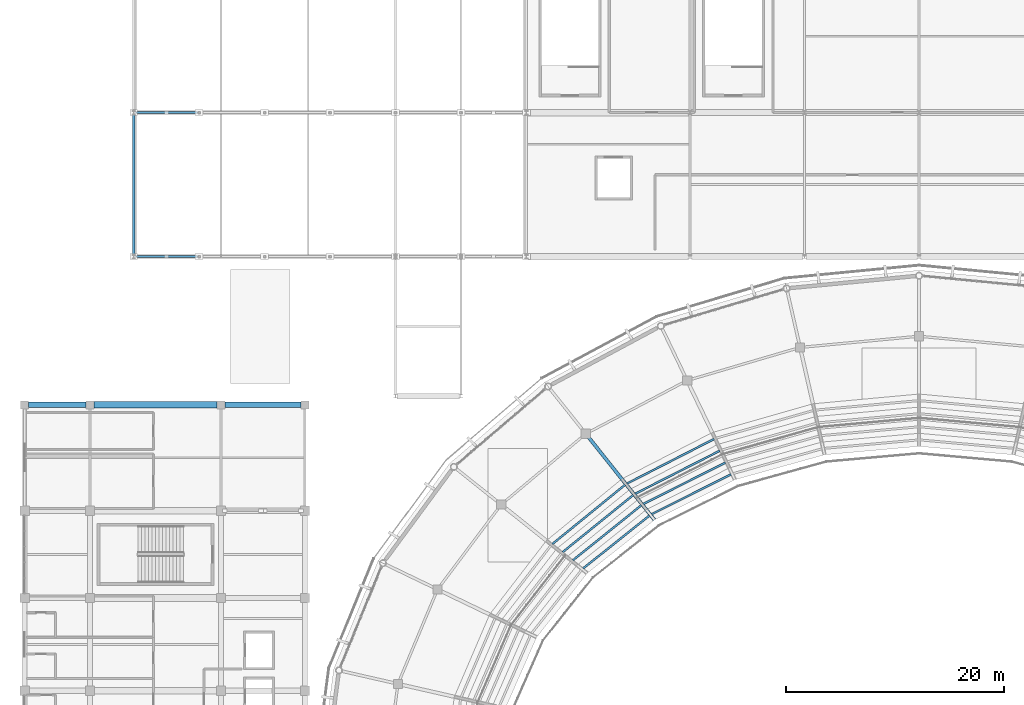
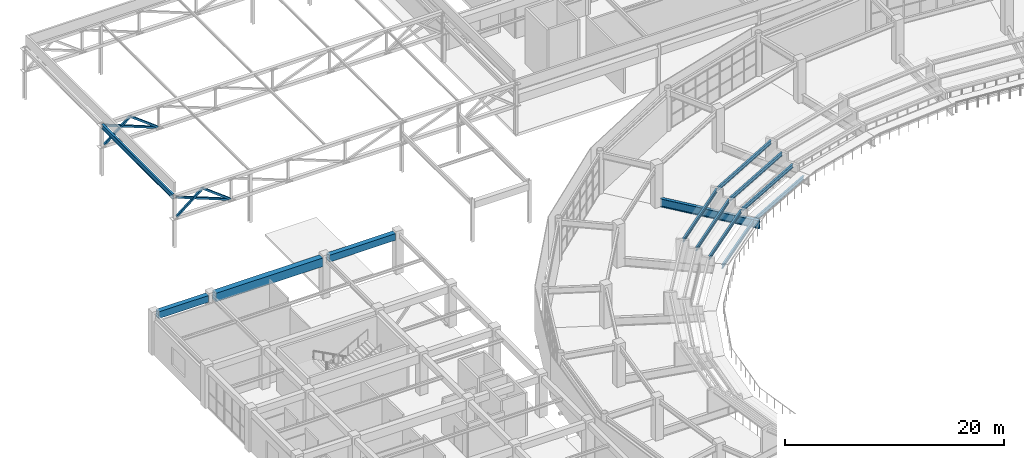
# One storey, part 46 of 122: 13 beams, 6 members.
"""IFC4 building model written with IfcOpenShell, lengths in metres."""

from ifc_helpers import new_model, si_unit, direction, frame, origin, origin_2d, place, context, subcontext, project, spatial, rectangle, hollow_rectangle, i_section, extrude, material, material_profile, profile_set, type_object, element, save


model = new_model("IFC4")

# Units and contexts
model_context = context("Model", 3, precision=1e-05, world=origin(), true_north=direction((0.0, 1.0)))
body_context = subcontext(model_context, "Body", "Model", "MODEL_VIEW")
ifc_project = project(units=[si_unit("LENGTHUNIT", "METRE"), si_unit("AREAUNIT", "SQUARE_METRE"), si_unit("VOLUMEUNIT", "CUBIC_METRE"), si_unit("PLANEANGLEUNIT", "RADIAN"), si_unit("MASSUNIT", "GRAM", prefix="KILO")], contexts=[model_context])

# Site, building, storey
site_placement = place(None, origin())
site = spatial("IfcSite", under=ifc_project, at=site_placement, CompositionType="ELEMENT")
building_placement = place(site_placement, origin())
building = spatial("IfcBuilding", under=site, at=building_placement, Name="Cuetzalor Civic Arena", CompositionType="ELEMENT")
storey_placement = place(building_placement, frame((0.0, 0.0, 16.199951171875)))
storey = spatial("IfcBuildingStorey", under=building, at=storey_placement, Name="L03", CompositionType="ELEMENT", Elevation=16.199951171875)

# Beams
ifc_material_1 = material(Name="Concrete C40/50", Category="concrete")
ifc_material_profile_1 = material_profile(ifc_material_1, rectangle(XDim=0.5, YDim=0.75, at=origin_2d()), Name="RC 500x750")
ifc_profile_set_1 = profile_set([ifc_material_profile_1], Name="Concrete C40/50")
beam_type_1 = type_object("IfcBeamType", Name="ConcreteFrameBeam_500x750", PredefinedType="BEAM", material=ifc_profile_set_1)
beam_1_placement = place(storey_placement, frame((-81.635009765625, 34.699951171875, 4.14501953125), z_axis=(1.0, 0.0, 0.0), x_axis=(0.0, 1.0, 0.0)))
element("IfcBeam", 1, at=beam_1_placement, inside=storey, type_object=beam_type_1, Name="Frame Girder V4W-L03-X0913", PredefinedType="BEAM", context=body_context, shape_type="SweptSolid", body=[
    extrude(rectangle(XDim=0.5, YDim=0.75, at=origin_2d()), origin(), (0.0, 0.0, 1.0), 5.27001953125),
])
beam_2_placement = place(storey_placement, frame((-63.635009765625, 34.699951171875, 4.14501953125), z_axis=(1.0, 0.0, 0.0), x_axis=(0.0, 1.0, 0.0)))
element("IfcBeam", 2, at=beam_2_placement, inside=storey, type_object=beam_type_1, Name="Frame Girder V4W-L03-X0915", PredefinedType="BEAM", context=body_context, shape_type="SweptSolid", body=[
    extrude(rectangle(XDim=0.5, YDim=0.75, at=origin_2d()), origin(), (0.0, 0.0, 1.0), 6.969970703125),
])
ifc_material_2 = material(Name="Concrete C40/50", Category="concrete")
ifc_material_profile_2 = material_profile(ifc_material_2, rectangle(XDim=0.60009765625, YDim=0.949951171875, at=origin_2d()), Name="RC 600x950")
ifc_profile_set_2 = profile_set([ifc_material_profile_2], Name="Concrete C40/50")
beam_type_2 = type_object("IfcBeamType", Name="ConcreteFrameBeam_600x950", PredefinedType="BEAM", material=ifc_profile_set_2)
beam_3_placement = place(storey_placement, frame((-75.635009765625, 34.699951171875, 4.045166015625), z_axis=(1.0, 0.0, 0.0), x_axis=(0.0, 1.0, 0.0)))
element("IfcBeam", 3, at=beam_3_placement, inside=storey, type_object=beam_type_2, Name="Frame Girder V4W-L03-X0914", PredefinedType="BEAM", context=body_context, shape_type="SweptSolid", body=[
    extrude(rectangle(XDim=0.60009765625, YDim=0.949951171875, at=origin_2d()), origin(), (0.0, 0.0, 1.0), 11.27001953125),
])

# Members
ifc_material_3 = material(Name="Steel S355", Category="steel")
ifc_material_profile_3 = material_profile(ifc_material_3, hollow_rectangle(XDim=0.199951171875, YDim=0.199951171875, WallThickness=0.010009765625, at=origin_2d()), Name="RHS 200x200x10")
ifc_profile_set_3 = profile_set([ifc_material_profile_3], Name="Steel S355")
member_type = type_object("IfcMemberType", Name="PrattTrussWeb_RHS200", PredefinedType="STRUT", material=ifc_profile_set_3)
member_1_placement = place(storey_placement, frame((-71.800048828125, 48.300048828125, 5.5), z_axis=(0.930756425373, 0.0, -0.365639818164), x_axis=(0.0, 1.0, 0.0)))
element("IfcMember", 4, at=member_1_placement, inside=storey, type_object=member_type, Name="Practice Court Pratt Diagonal T1-1", PredefinedType="STRUT", context=body_context, shape_type="SweptSolid", body=[
    extrude(hollow_rectangle(XDim=0.199951171875, YDim=0.199951171875, WallThickness=0.010009765625, at=origin_2d()), origin(), (0.0, 0.0, 1.0), 6.0166015625),
])
member_2_placement = place(storey_placement, frame((-71.75, 48.300048828125, 3.300048828125), z_axis=(0.780875572801, 0.0, 0.624686593263), x_axis=(0.0, 1.0, 0.0)))
element("IfcMember", 5, at=member_2_placement, inside=storey, type_object=member_type, Name="Practice Court Truss End Raking Strut T1-1", PredefinedType="STRUT", context=body_context, shape_type="SweptSolid", body=[
    extrude(hollow_rectangle(XDim=0.199951171875, YDim=0.199951171875, WallThickness=0.010009765625, at=origin_2d()), origin(), (0.0, 0.0, 1.0), 3.521728515625),
])
member_3_placement = place(storey_placement, frame((-69.0, 48.300048828125, 5.5), z_axis=(0.796687929917, 0.0, -0.604390885375), x_axis=(0.0, 1.0, 0.0)))
element("IfcMember", 6, at=member_3_placement, inside=storey, type_object=member_type, Name="Practice Court Truss End Raking Strut T1-2", PredefinedType="STRUT", context=body_context, shape_type="SweptSolid", body=[
    extrude(hollow_rectangle(XDim=0.199951171875, YDim=0.199951171875, WallThickness=0.010009765625, at=origin_2d()), origin(), (0.0, 0.0, 1.0), 3.639892578125),
])
member_4_placement = place(storey_placement, frame((-71.800048828125, 61.5, 5.5), z_axis=(0.930756425373, 0.0, -0.365639818164), x_axis=(0.0, 1.0, 0.0)))
element("IfcMember", 7, at=member_4_placement, inside=storey, type_object=member_type, Name="Practice Court Pratt Diagonal T2-1", PredefinedType="STRUT", context=body_context, shape_type="SweptSolid", body=[
    extrude(hollow_rectangle(XDim=0.199951171875, YDim=0.199951171875, WallThickness=0.010009765625, at=origin_2d()), origin(), (0.0, 0.0, 1.0), 6.0166015625),
])
member_5_placement = place(storey_placement, frame((-71.75, 61.5, 3.300048828125), z_axis=(0.780875572801, 0.0, 0.624686593263), x_axis=(0.0, 1.0, 0.0)))
element("IfcMember", 8, at=member_5_placement, inside=storey, type_object=member_type, Name="Practice Court Truss End Raking Strut T2-1", PredefinedType="STRUT", context=body_context, shape_type="SweptSolid", body=[
    extrude(hollow_rectangle(XDim=0.199951171875, YDim=0.199951171875, WallThickness=0.010009765625, at=origin_2d()), origin(), (0.0, 0.0, 1.0), 3.521728515625),
])
member_6_placement = place(storey_placement, frame((-69.0, 61.5, 5.5), z_axis=(0.796687929917, 0.0, -0.604390885375), x_axis=(0.0, 1.0, 0.0)))
element("IfcMember", 9, at=member_6_placement, inside=storey, type_object=member_type, Name="Practice Court Truss End Raking Strut T2-2", PredefinedType="STRUT", context=body_context, shape_type="SweptSolid", body=[
    extrude(hollow_rectangle(XDim=0.199951171875, YDim=0.199951171875, WallThickness=0.010009765625, at=origin_2d()), origin(), (0.0, 0.0, 1.0), 3.639892578125),
])

# Beams
ifc_material_4 = material(Name="Steel S355", Category="steel")
ifc_material_profile_4 = material_profile(ifc_material_4, i_section(OverallWidth=0.208984375, OverallDepth=0.532958984375, WebThickness=0.01025390625, FlangeThickness=0.015625, at=origin_2d()), Name="W530x92")
ifc_profile_set_4 = profile_set([ifc_material_profile_4], Name="Steel S355")
beam_type_3 = type_object("IfcBeamType", Name="SteelCollarGirder_W530", PredefinedType="BEAM", material=ifc_profile_set_4)
beam_4_placement = place(storey_placement, frame((-72.0, 48.444091796875, 5.533447265625), z_axis=(0.0, 1.0, 0.0), x_axis=(-1.0, 0.0, 0.0)))
element("IfcBeam", 10, at=beam_4_placement, inside=storey, type_object=beam_type_3, Name="Frame Girder V5-L03-Y1061", PredefinedType="BEAM", context=body_context, shape_type="SweptSolid", body=[
    extrude(i_section(OverallWidth=0.208984375, OverallDepth=0.532958984375, WebThickness=0.01025390625, FlangeThickness=0.015625, at=origin_2d()), origin(), (0.0, 0.0, 1.0), 12.911865234375),
])
ifc_material_5 = material(Name="Steel S355", Category="steel")
ifc_material_profile_5 = material_profile(ifc_material_5, i_section(OverallWidth=0.177978515625, OverallDepth=0.406982421875, WebThickness=0.0078125, FlangeThickness=0.0126953125, at=origin_2d()), Name="W410x60")
ifc_profile_set_5 = profile_set([ifc_material_profile_5], Name="Steel S355")
beam_type_4 = type_object("IfcBeamType", Name="SteelSecondaryBeam_W410", PredefinedType="BEAM", material=ifc_profile_set_5)
beam_5_placement = place(storey_placement, frame((-17.235107421875, 28.33203125, 0.70751953125), z_axis=(-0.894037945543, -0.447991240907, 0.0), x_axis=(0.447991240907, -0.894037945543, 0.0)))
element("IfcBeam", 11, at=beam_5_placement, inside=storey, type_object=beam_type_4, Name="Upper Bowl Tier Carrier Beam S10-R1", PredefinedType="BEAM", context=body_context, shape_type="SweptSolid", body=[
    extrude(i_section(OverallWidth=0.177978515625, OverallDepth=0.406982421875, WebThickness=0.0078125, FlangeThickness=0.0126953125, at=origin_2d()), origin(), (0.0, 0.0, 1.0), 8.160888671875),
])
beam_6_placement = place(storey_placement, frame((-17.755615234375, 29.4130859375, 1.551513671875), z_axis=(-0.892682460689, -0.45068617061, 0.0), x_axis=(0.45068617061, -0.892682460689, 0.0)))
element("IfcBeam", 12, at=beam_6_placement, inside=storey, type_object=beam_type_4, Name="Upper Bowl Tier Carrier Beam S10-R2", PredefinedType="BEAM", context=body_context, shape_type="SweptSolid", body=[
    extrude(i_section(OverallWidth=0.177978515625, OverallDepth=0.406982421875, WebThickness=0.0078125, FlangeThickness=0.0126953125, at=origin_2d()), origin(), (0.0, 0.0, 1.0), 8.428466796875),
])
beam_7_placement = place(storey_placement, frame((-18.27587890625, 30.493896484375, 2.401611328125), z_axis=(-0.891420116487, -0.453177863452, 0.0), x_axis=(0.453177863452, -0.891420116487, 0.0)))
element("IfcBeam", 13, at=beam_7_placement, inside=storey, type_object=beam_type_4, Name="Upper Bowl Tier Carrier Beam S10-R3", PredefinedType="BEAM", context=body_context, shape_type="SweptSolid", body=[
    extrude(i_section(OverallWidth=0.177978515625, OverallDepth=0.406982421875, WebThickness=0.0078125, FlangeThickness=0.0126953125, at=origin_2d()), origin(), (0.0, 0.0, 1.0), 8.6962890625),
])
beam_8_placement = place(storey_placement, frame((-18.79638671875, 31.57470703125, 3.25146484375), z_axis=(-0.890226845058, -0.455517468751, 0.0), x_axis=(0.455517468751, -0.890226845058, 0.0)))
element("IfcBeam", 14, at=beam_8_placement, inside=storey, type_object=beam_type_4, Name="Upper Bowl Tier Carrier Beam S10-R4", PredefinedType="BEAM", context=body_context, shape_type="SweptSolid", body=[
    extrude(i_section(OverallWidth=0.177978515625, OverallDepth=0.406982421875, WebThickness=0.0078125, FlangeThickness=0.0126953125, at=origin_2d()), origin(), (0.0, 0.0, 1.0), 8.9638671875),
])
beam_9_placement = place(storey_placement, frame((-24.712158203125, 24.560302734375, 0.70751953125), z_axis=(-0.781840949044, -0.623477930963, 0.0), x_axis=(0.623477930963, -0.781840949044, 0.0)))
element("IfcBeam", 15, at=beam_9_placement, inside=storey, type_object=beam_type_4, Name="Upper Bowl Tier Carrier Beam S11-R1", PredefinedType="BEAM", context=body_context, shape_type="SweptSolid", body=[
    extrude(i_section(OverallWidth=0.177978515625, OverallDepth=0.406982421875, WebThickness=0.0078125, FlangeThickness=0.0126953125, at=origin_2d()), origin(), (0.0, 0.0, 1.0), 7.78369140625),
])
beam_10_placement = place(storey_placement, frame((-25.460205078125, 25.498291015625, 1.551513671875), z_axis=(-0.779559434409, -0.626328259162, 0.0), x_axis=(0.626328259162, -0.779559434409, 0.0)))
element("IfcBeam", 16, at=beam_10_placement, inside=storey, type_object=beam_type_4, Name="Upper Bowl Tier Carrier Beam S11-R2", PredefinedType="BEAM", context=body_context, shape_type="SweptSolid", body=[
    extrude(i_section(OverallWidth=0.177978515625, OverallDepth=0.406982421875, WebThickness=0.0078125, FlangeThickness=0.0126953125, at=origin_2d()), origin(), (0.0, 0.0, 1.0), 8.05078125),
])
beam_11_placement = place(storey_placement, frame((-26.208251953125, 26.436279296875, 2.401611328125), z_axis=(-0.777400684757, -0.629005703742, 0.0), x_axis=(0.629005703742, -0.777400684757, 0.0)))
element("IfcBeam", 17, at=beam_11_placement, inside=storey, type_object=beam_type_4, Name="Upper Bowl Tier Carrier Beam S11-R3", PredefinedType="BEAM", context=body_context, shape_type="SweptSolid", body=[
    extrude(i_section(OverallWidth=0.177978515625, OverallDepth=0.406982421875, WebThickness=0.0078125, FlangeThickness=0.0126953125, at=origin_2d()), origin(), (0.0, 0.0, 1.0), 8.318115234375),
])
beam_12_placement = place(storey_placement, frame((-26.9560546875, 27.3740234375, 3.25146484375), z_axis=(-0.775407216872, -0.631461517452, 0.0), x_axis=(0.631461517452, -0.775407216872, 0.0)))
element("IfcBeam", 18, at=beam_12_placement, inside=storey, type_object=beam_type_4, Name="Upper Bowl Tier Carrier Beam S11-R4", PredefinedType="BEAM", context=body_context, shape_type="SweptSolid", body=[
    extrude(i_section(OverallWidth=0.177978515625, OverallDepth=0.406982421875, WebThickness=0.0078125, FlangeThickness=0.0126953125, at=origin_2d()), origin(), (0.0, 0.0, 1.0), 8.58544921875),
])
ifc_material_6 = material(Name="Steel S355", Category="steel")
ifc_material_profile_6 = material_profile(ifc_material_6, i_section(OverallWidth=0.303955078125, OverallDepth=0.910888671875, WebThickness=0.015869140625, FlangeThickness=0.02392578125, at=origin_2d()), Name="W920x223")
ifc_profile_set_6 = profile_set([ifc_material_profile_6], Name="Steel S355")
beam_type_5 = type_object("IfcBeamType", Name="UpperBowlRakerBeam_W840", PredefinedType="USERDEFINED", material=ifc_profile_set_6)
beam_13_placement = place(storey_placement, frame((-24.25390625, 24.15869140625, 0.45556640625), z_axis=(-0.623490505412, 0.781830921402, 0.0), x_axis=(-0.781830921402, -0.623490505412, 0.0)))
element("IfcBeam", 19, at=beam_13_placement, inside=storey, type_object=beam_type_5, Name="Upper Bowl Raker Beam R11", ObjectType="RAKER", PredefinedType="USERDEFINED", context=body_context, shape_type="SweptSolid", body=[
    extrude(i_section(OverallWidth=0.303955078125, OverallDepth=0.910888671875, WebThickness=0.015869140625, FlangeThickness=0.02392578125, at=origin_2d()), origin(), (0.0, 0.0, 1.0), 9.719970703125),
])

save(model, "model.ifc")
